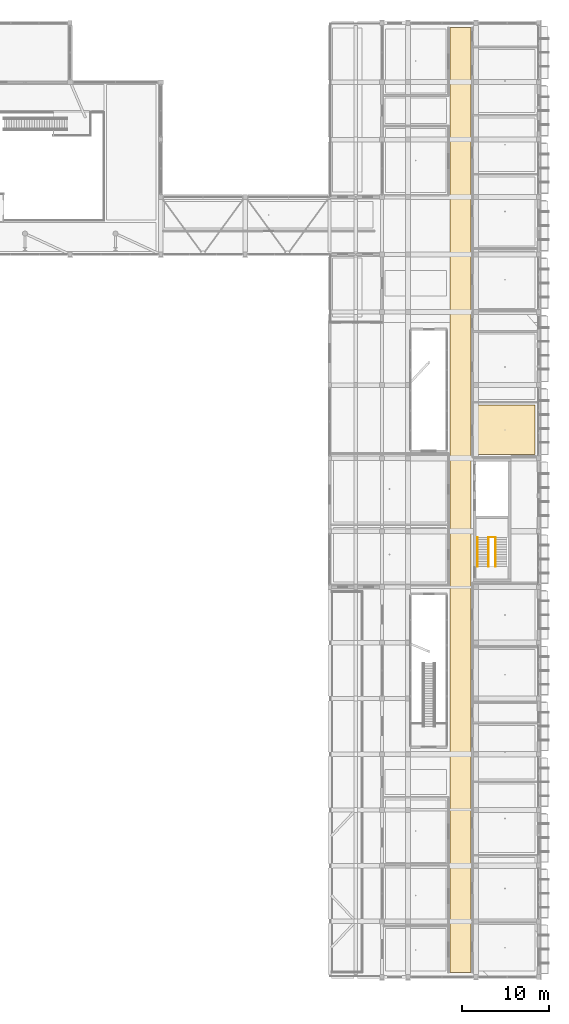
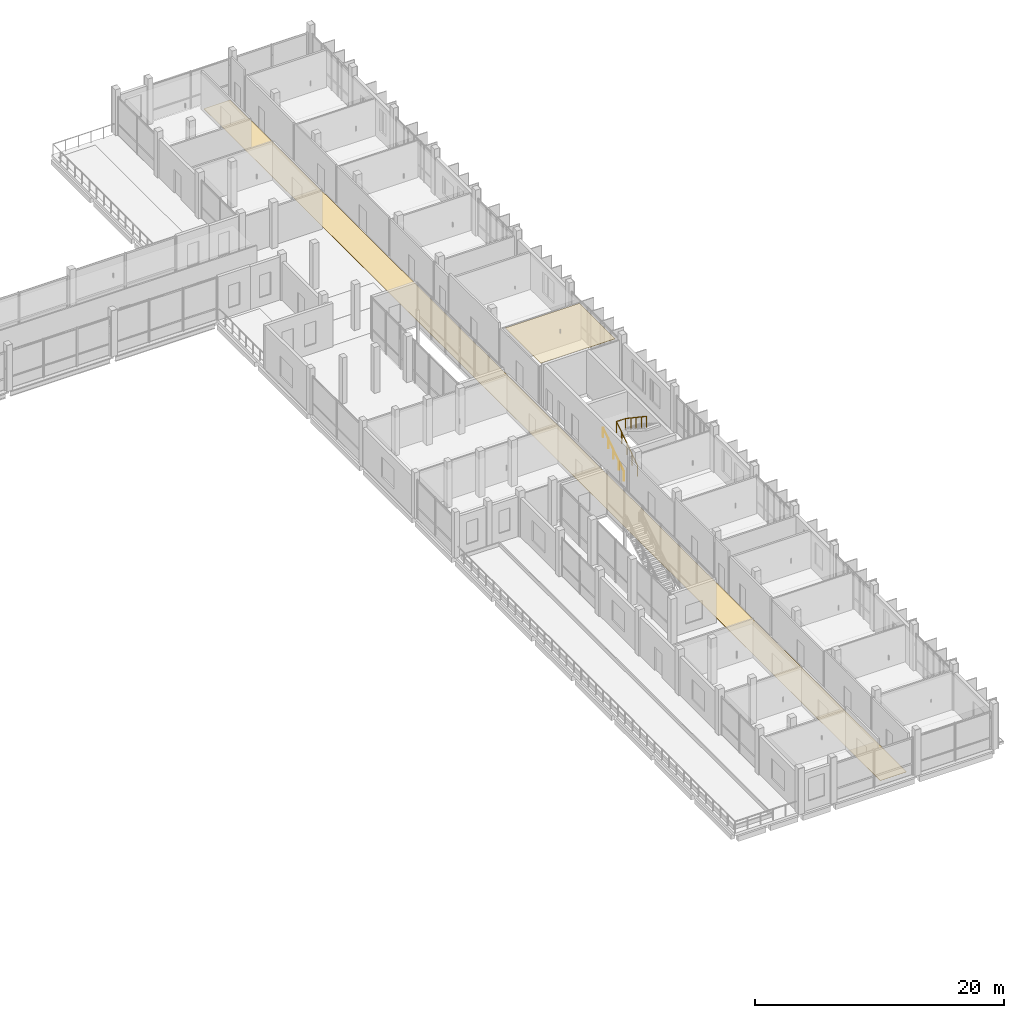
# One storey, part 93 of 95: 2 coverings, 2 railings.
"""IFC4 building model written with IfcOpenShell, lengths in metres."""

from ifc_helpers import new_model, si_unit, derived_unit, direction, frame, origin, origin_2d, place, context, subcontext, project, spatial, polyline, circle, outline, extrude, material, layer, layer_set, type_object, element, save


model = new_model("IFC4")

# Units and contexts
model_context = context("Model", 3, precision=1e-05, world=origin(), true_north=direction((0.0, 1.0)))
body_context = subcontext(model_context, "Body", "Model", "MODEL_VIEW")
ifc_project = project(units=[si_unit("LENGTHUNIT", "METRE"), si_unit("AREAUNIT", "SQUARE_METRE"), si_unit("VOLUMEUNIT", "CUBIC_METRE"), si_unit("PLANEANGLEUNIT", "RADIAN"), si_unit("MASSUNIT", "GRAM", prefix="KILO"), derived_unit("THERMALTRANSMITTANCEUNIT", [(si_unit("POWERUNIT", "WATT"), 1), (si_unit("LENGTHUNIT", "METRE"), -2), (si_unit("THERMODYNAMICTEMPERATUREUNIT", "KELVIN"), -1)])], contexts=[model_context])

# Site, building, storey
site_placement = place(None, origin())
site = spatial("IfcSite", under=ifc_project, at=site_placement, CompositionType="ELEMENT")
building_placement = place(site_placement, origin())
building = spatial("IfcBuilding", under=site, at=building_placement, Name="Braskholm Square Health Centre", CompositionType="ELEMENT")
storey_placement = place(building_placement, frame((0.0, 0.0, 4.800048828125)))
storey = spatial("IfcBuildingStorey", under=building, at=storey_placement, Name="L02", CompositionType="ELEMENT", Elevation=4.800048828125)

# Covering
ifc_material_1 = material(Name="Fire-rated gypsum board barrier")
ifc_layer_1 = layer(ifc_material_1, 0.02490234375)
ifc_layer_set_1 = layer_set([ifc_layer_1], Name="Fire-rated gypsum board barrier")
covering_type_1 = type_object("IfcCoveringType", Name="AcousticClinicalCeilingTile", PredefinedType="CEILING", material=ifc_layer_set_1)
covering_1_placement = place(storey_placement, frame((0.0, 0.0, 3.784912109375)))
element("IfcCovering", 1, at=covering_1_placement, inside=storey, type_object=covering_type_1, Name="Acoustic ceiling L02-195", PredefinedType="CEILING", context=body_context, shape_type="SweptSolid", body=[
    extrude(outline(polyline([(156.5, 64.199951171875), (163.3798828125, 64.199951171875), (163.3798828125, 69.919921875), (156.5, 69.919921875), (156.5, 64.199951171875)])), origin(), (0.0, 0.0, 1.0), 0.025146484375),
])

# Railing
ifc_material_2 = material(Name="Dark patinated chevron architectural bronze", Category="aluminium")
railing_type_1 = type_object("IfcRailingType", Name="BronzeChevronGuardrail1100", PredefinedType="GUARDRAIL", material=ifc_material_2)
railing_1_placement = place(storey_placement, frame((158.030029296875, 51.360107421875, 0.0)))
element("IfcRailing", 2, at=railing_1_placement, inside=storey, type_object=railing_type_1, Name="Stair ST-04 inner well guardrail L02", PredefinedType="GUARDRAIL", context=body_context, shape_type="SweptSolid", body=[
    extrude(circle(Radius=0.02392578125, at=origin_2d()), frame((0.0, 0.0, 1.076171875), z_axis=(0.0, 0.830896709279, 0.556426687452), x_axis=(-1.0, 0.0, 0.0)), (0.0, 0.0, 1.0), 4.043701171875),
    extrude(circle(Radius=0.02392578125, at=origin_2d()), frame((0.0, 3.35986328125, 3.326171875), z_axis=(1.0, 0.0, 0.0), x_axis=(0.0, 1.0, 0.0)), (0.0, 0.0, 1.0), 0.840087890625),
    extrude(circle(Radius=0.02392578125, at=origin_2d()), frame((0.840087890625, 3.35986328125, 3.326171875), z_axis=(0.0, -0.830896709279, 0.556426687452), x_axis=(1.0, 0.0, 0.0)), (0.0, 0.0, 1.0), 4.043701171875),
    extrude(circle(Radius=0.02099609375, at=origin_2d()), origin(), (0.0, 0.0, 1.0), 1.052001953125),
    extrude(circle(Radius=0.02099609375, at=origin_2d()), frame((0.0, 0.83984375, 0.5625)), (0.0, 0.0, 1.0), 1.052001953125),
    extrude(circle(Radius=0.02099609375, at=origin_2d()), frame((0.0, 1.679931640625, 1.125)), (0.0, 0.0, 1.0), 1.052001953125),
    extrude(circle(Radius=0.02099609375, at=origin_2d()), frame((0.0, 2.52001953125, 1.6875)), (0.0, 0.0, 1.0), 1.052001953125),
    extrude(circle(Radius=0.02099609375, at=origin_2d()), frame((0.0, 3.35986328125, 2.25)), (0.0, 0.0, 1.0), 1.052001953125),
    extrude(circle(Radius=0.02099609375, at=origin_2d()), frame((0.840087890625, 3.35986328125, 2.25)), (0.0, 0.0, 1.0), 1.052001953125),
    extrude(circle(Radius=0.02099609375, at=origin_2d()), frame((0.840087890625, 2.52001953125, 2.8125)), (0.0, 0.0, 1.0), 1.052001953125),
    extrude(circle(Radius=0.02099609375, at=origin_2d()), frame((0.840087890625, 1.679931640625, 3.375)), (0.0, 0.0, 1.0), 1.052001953125),
    extrude(circle(Radius=0.02099609375, at=origin_2d()), frame((0.840087890625, 0.83984375, 3.9375)), (0.0, 0.0, 1.0), 1.052001953125),
    extrude(circle(Radius=0.02099609375, at=origin_2d()), frame((0.840087890625, 0.0, 4.5)), (0.0, 0.0, 1.0), 1.052001953125),
])

# Covering
ifc_material_3 = material(Name="Polished geometric terrazzo flooring", Category="masonry")
ifc_layer_2 = layer(ifc_material_3, 0.02001953125)
ifc_layer_set_2 = layer_set([ifc_layer_2], Name="Polished geometric terrazzo flooring")
covering_type_2 = type_object("IfcCoveringType", Name="PolishedTerrazzoFloorFinish", PredefinedType="FLOORING", material=ifc_layer_set_2)
covering_2_placement = place(storey_placement, origin())
element("IfcCovering", 3, at=covering_2_placement, inside=storey, type_object=covering_type_2, Name="Polished terrazzo floor L02-187", PredefinedType="FLOORING", context=body_context, shape_type="SweptSolid", body=[
    extrude(outline(polyline([(153.60009765625, 4.75), (156.050048828125, 4.75), (156.050048828125, 113.25), (153.60009765625, 113.25), (153.60009765625, 4.75)])), origin(), (0.0, 0.0, 1.0), 0.02001953125),
])

# Railing
railing_type_2 = type_object("IfcRailingType", Name="StairTubularHandrail915", PredefinedType="HANDRAIL", material=ifc_material_2)
railing_2_placement = place(storey_placement, frame((156.800048828125, 51.360107421875, 0.0)))
element("IfcRailing", 4, at=railing_2_placement, inside=storey, type_object=railing_type_2, Name="Stair ST-04 wall handrail F1 L02", PredefinedType="HANDRAIL", context=body_context, shape_type="SweptSolid", body=[
    extrude(circle(Radius=0.02392578125, at=origin_2d()), frame((0.0, 0.0, 0.89111328125), z_axis=(0.0, 0.830896709279, 0.556426687452), x_axis=(-1.0, 0.0, 0.0)), (0.0, 0.0, 1.0), 4.043701171875),
    extrude(circle(Radius=0.02099609375, at=origin_2d()), origin(), (0.0, 0.0, 1.0), 0.866943359375),
    extrude(circle(Radius=0.02099609375, at=origin_2d()), frame((0.0, 0.83984375, 0.5625)), (0.0, 0.0, 1.0), 0.866943359375),
    extrude(circle(Radius=0.02099609375, at=origin_2d()), frame((0.0, 1.679931640625, 1.125)), (0.0, 0.0, 1.0), 0.866943359375),
    extrude(circle(Radius=0.02099609375, at=origin_2d()), frame((0.0, 2.52001953125, 1.6875)), (0.0, 0.0, 1.0), 0.866943359375),
    extrude(circle(Radius=0.02099609375, at=origin_2d()), frame((0.0, 3.35986328125, 2.25)), (0.0, 0.0, 1.0), 0.866943359375),
])

save(model, "model.ifc")
